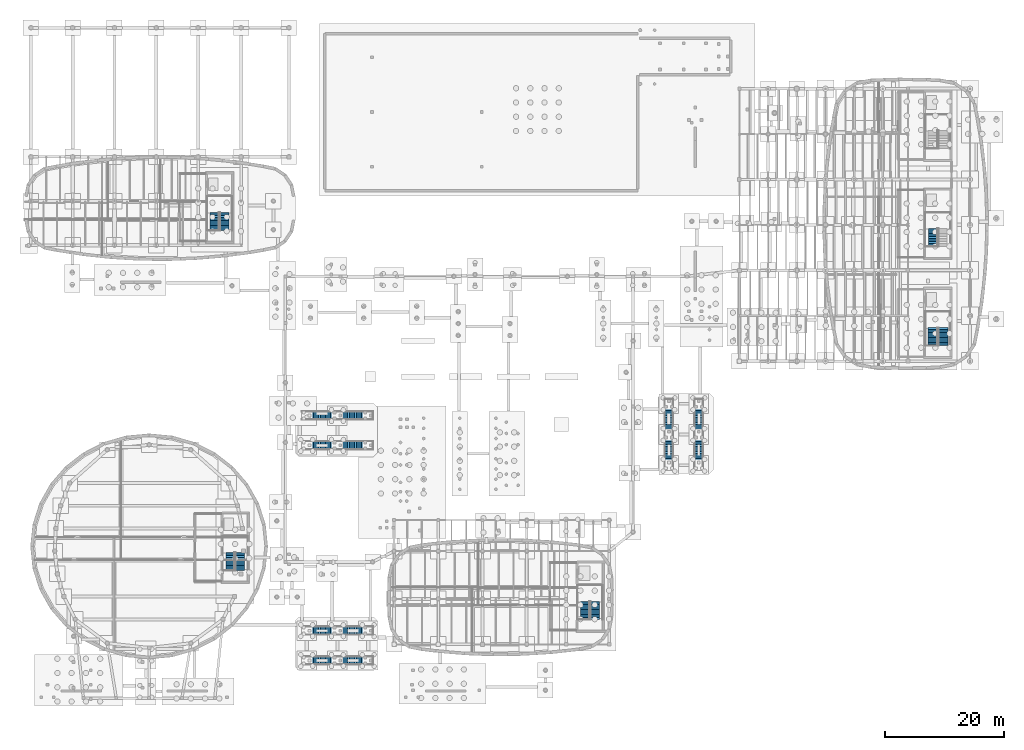
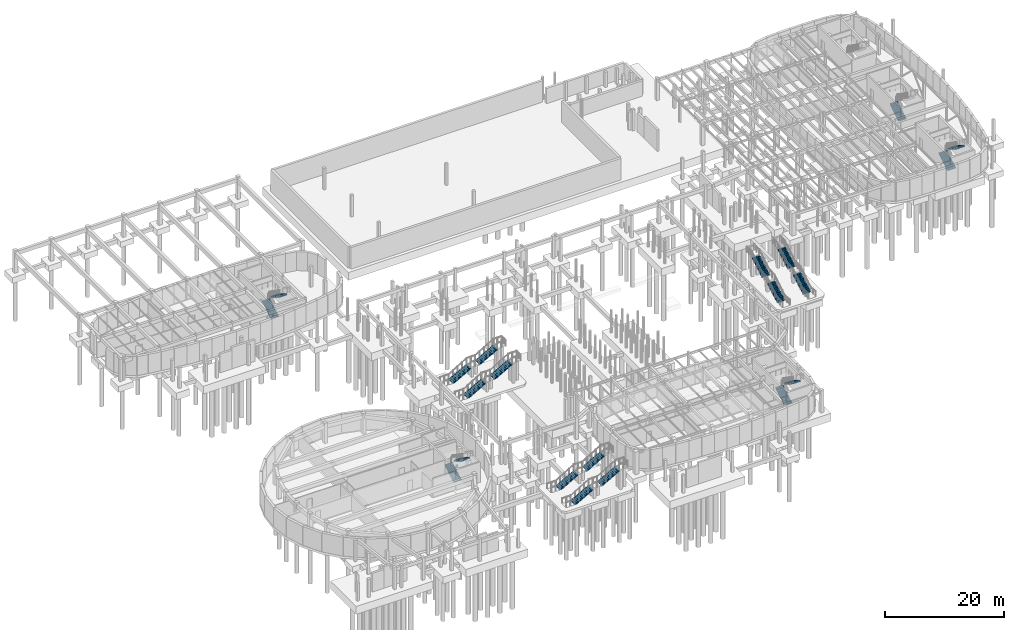
# One storey, part 39 of 45: 21 stair flights, 11 elements without a shape of their own.
"""IFC4 building model written with IfcOpenShell, lengths in metres."""

from ifc_helpers import new_model, si_unit, direction, frame, origin, place, context, subcontext, project, spatial, polyline, outline, extrude, material, layer, layer_set, type_object, element, aggregate, save


model = new_model("IFC4")

# Units and contexts
model_context = context("Model", 3, precision=1e-05, world=origin(), true_north=direction((0.0, 1.0)))
body_context = subcontext(model_context, "Body", "Model", "MODEL_VIEW")
ifc_project = project(units=[si_unit("LENGTHUNIT", "METRE"), si_unit("AREAUNIT", "SQUARE_METRE"), si_unit("VOLUMEUNIT", "CUBIC_METRE"), si_unit("PLANEANGLEUNIT", "RADIAN"), si_unit("MASSUNIT", "GRAM", prefix="KILO")], contexts=[model_context])

# Site, building, storey
site_placement = place(None, origin())
site = spatial("IfcSite", under=ifc_project, at=site_placement, CompositionType="ELEMENT")
building_placement = place(site_placement, origin())
building = spatial("IfcBuilding", under=site, at=building_placement, Name="Corveleigh Park Community Centre", CompositionType="ELEMENT")
storey_placement = place(building_placement, frame((0.0, 0.0, -4.199951171875)))
storey = spatial("IfcBuildingStorey", under=building, at=storey_placement, Name="B1", CompositionType="ELEMENT", Elevation=-4.199951171875)

# Stair, stair flights
ifc_material = material(Name="Concrete C32/40", Category="concrete")
stair_type_1 = type_object("IfcStairType", Name="STR-SR-1400-480", PredefinedType="STRAIGHT_RUN_STAIR", material=ifc_material)
stair_1_placement = place(storey_placement, origin())
stair_1 = element("IfcStair", 1, at=stair_1_placement, inside=storey, type_object=stair_type_1, Name="Terrace promenade stair ST7", PredefinedType="STRAIGHT_RUN_STAIR")
ifc_layer_1 = layer(ifc_material, 0.169921875, Name="Concrete C32/40", Category="concrete")
ifc_layer_set_1 = layer_set([ifc_layer_1], Name="Concrete C32/40")
stair_flight_type_1 = type_object("IfcStairFlightType", Name="FLG-RC-1400", PredefinedType="STRAIGHT", material=ifc_layer_set_1)
stair_flight_1_placement = place(storey_placement, frame((58.199951171875, 8.5, 0.0), z_axis=(0.0, 0.0, 1.0), x_axis=(1.0, 0.0, 0.0)))
stair_flight_1 = element("IfcStairFlight", 2, at=stair_flight_1_placement, type_object=stair_flight_type_1, Name="ST7 flight 1", NumberOfRisers=13, NumberOfTreads=12, PredefinedType="STRAIGHT", RiserHeight=0.16154, TreadLength=0.29, context=body_context, shape_type="SweptSolid", body=[
    extrude(outline(polyline([(0.0, 0.0), (0.0, 0.16162109375), (0.2900390625, 0.16162109375), (0.2900390625, 0.322998046875), (0.580078125, 0.322998046875), (0.580078125, 0.484619140625), (0.8701171875, 0.484619140625), (0.8701171875, 0.646240234375), (1.159912109375, 0.646240234375), (1.159912109375, 0.8076171875), (1.449951171875, 0.8076171875), (1.449951171875, 0.96923828125), (1.739990234375, 0.96923828125), (1.739990234375, 1.130859375), (2.030029296875, 1.130859375), (2.030029296875, 1.292236328125), (2.320068359375, 1.292236328125), (2.320068359375, 1.453857421875), (2.610107421875, 1.453857421875), (2.610107421875, 1.615478515625), (2.89990234375, 1.615478515625), (2.89990234375, 1.77685546875), (3.18994140625, 1.77685546875), (3.18994140625, 1.9384765625), (3.47998046875, 1.9384765625), (3.47998046875, 2.10009765625), (3.47998046875, 1.743896484375), (0.34912109375, 0.0), (0.0, 0.0)])), frame((0.0, 0.699951171875, 0.0), z_axis=(0.0, -1.0, 0.0), x_axis=(1.0, 0.0, 0.0)), (0.0, 0.0, 1.0), 1.39990234375),
])
stair_flight_2_placement = place(storey_placement, frame((63.360107421875, 8.5, 2.099853515625), z_axis=(0.0, 0.0, 1.0), x_axis=(1.0, 0.0, 0.0)))
stair_flight_2 = element("IfcStairFlight", 3, at=stair_flight_2_placement, type_object=stair_flight_type_1, Name="ST7 flight 2", NumberOfRisers=13, NumberOfTreads=12, PredefinedType="STRAIGHT", RiserHeight=0.16154, TreadLength=0.29, context=body_context, shape_type="SweptSolid", body=[
    extrude(outline(polyline([(0.0, 0.0), (0.0, 0.16162109375), (0.2900390625, 0.16162109375), (0.2900390625, 0.322998046875), (0.580078125, 0.322998046875), (0.580078125, 0.484619140625), (0.8701171875, 0.484619140625), (0.8701171875, 0.646240234375), (1.159912109375, 0.646240234375), (1.159912109375, 0.8076171875), (1.449951171875, 0.8076171875), (1.449951171875, 0.96923828125), (1.739990234375, 0.96923828125), (1.739990234375, 1.130859375), (2.030029296875, 1.130859375), (2.030029296875, 1.292236328125), (2.320068359375, 1.292236328125), (2.320068359375, 1.453857421875), (2.610107421875, 1.453857421875), (2.610107421875, 1.615478515625), (2.89990234375, 1.615478515625), (2.89990234375, 1.77685546875), (3.18994140625, 1.77685546875), (3.18994140625, 1.9384765625), (3.47998046875, 1.9384765625), (3.47998046875, 2.10009765625), (3.47998046875, 1.743896484375), (0.34912109375, 0.0), (0.0, 0.0)])), frame((0.0, 0.699951171875, 0.0), z_axis=(0.0, -1.0, 0.0), x_axis=(1.0, 0.0, 0.0)), (0.0, 0.0, 1.0), 1.39990234375),
])
aggregate(stair_1, [stair_flight_1, stair_flight_2])

stair_2_placement = place(storey_placement, origin())
stair_2 = element("IfcStair", 4, at=stair_2_placement, inside=storey, type_object=stair_type_1, Name="Terrace promenade stair ST8", PredefinedType="STRAIGHT_RUN_STAIR")
stair_flight_3_placement = place(storey_placement, frame((58.199951171875, 13.5, 0.0), z_axis=(0.0, 0.0, 1.0), x_axis=(1.0, 0.0, 0.0)))
stair_flight_3 = element("IfcStairFlight", 5, at=stair_flight_3_placement, type_object=stair_flight_type_1, Name="ST8 flight 1", NumberOfRisers=13, NumberOfTreads=12, PredefinedType="STRAIGHT", RiserHeight=0.16154, TreadLength=0.29, context=body_context, shape_type="SweptSolid", body=[
    extrude(outline(polyline([(0.0, 0.0), (0.0, 0.16162109375), (0.2900390625, 0.16162109375), (0.2900390625, 0.322998046875), (0.580078125, 0.322998046875), (0.580078125, 0.484619140625), (0.8701171875, 0.484619140625), (0.8701171875, 0.646240234375), (1.159912109375, 0.646240234375), (1.159912109375, 0.8076171875), (1.449951171875, 0.8076171875), (1.449951171875, 0.96923828125), (1.739990234375, 0.96923828125), (1.739990234375, 1.130859375), (2.030029296875, 1.130859375), (2.030029296875, 1.292236328125), (2.320068359375, 1.292236328125), (2.320068359375, 1.453857421875), (2.610107421875, 1.453857421875), (2.610107421875, 1.615478515625), (2.89990234375, 1.615478515625), (2.89990234375, 1.77685546875), (3.18994140625, 1.77685546875), (3.18994140625, 1.9384765625), (3.47998046875, 1.9384765625), (3.47998046875, 2.10009765625), (3.47998046875, 1.743896484375), (0.34912109375, 0.0), (0.0, 0.0)])), frame((0.0, 0.699951171875, 0.0), z_axis=(0.0, -1.0, 0.0), x_axis=(1.0, 0.0, 0.0)), (0.0, 0.0, 1.0), 1.39990234375),
])
stair_flight_4_placement = place(storey_placement, frame((63.360107421875, 13.5, 2.099853515625), z_axis=(0.0, 0.0, 1.0), x_axis=(1.0, 0.0, 0.0)))
stair_flight_4 = element("IfcStairFlight", 6, at=stair_flight_4_placement, type_object=stair_flight_type_1, Name="ST8 flight 2", NumberOfRisers=13, NumberOfTreads=12, PredefinedType="STRAIGHT", RiserHeight=0.16154, TreadLength=0.29, context=body_context, shape_type="SweptSolid", body=[
    extrude(outline(polyline([(0.0, 0.0), (0.0, 0.16162109375), (0.2900390625, 0.16162109375), (0.2900390625, 0.322998046875), (0.580078125, 0.322998046875), (0.580078125, 0.484619140625), (0.8701171875, 0.484619140625), (0.8701171875, 0.646240234375), (1.159912109375, 0.646240234375), (1.159912109375, 0.8076171875), (1.449951171875, 0.8076171875), (1.449951171875, 0.96923828125), (1.739990234375, 0.96923828125), (1.739990234375, 1.130859375), (2.030029296875, 1.130859375), (2.030029296875, 1.292236328125), (2.320068359375, 1.292236328125), (2.320068359375, 1.453857421875), (2.610107421875, 1.453857421875), (2.610107421875, 1.615478515625), (2.89990234375, 1.615478515625), (2.89990234375, 1.77685546875), (3.18994140625, 1.77685546875), (3.18994140625, 1.9384765625), (3.47998046875, 1.9384765625), (3.47998046875, 2.10009765625), (3.47998046875, 1.743896484375), (0.34912109375, 0.0), (0.0, 0.0)])), frame((0.0, 0.699951171875, 0.0), z_axis=(0.0, -1.0, 0.0), x_axis=(1.0, 0.0, 0.0)), (0.0, 0.0, 1.0), 1.39990234375),
])
aggregate(stair_2, [stair_flight_3, stair_flight_4])

stair_type_2 = type_object("IfcStairType", Name="STR-SR-1400-390", PredefinedType="STRAIGHT_RUN_STAIR", material=ifc_material)
stair_3_placement = place(storey_placement, origin())
stair_3 = element("IfcStair", 7, at=stair_3_placement, inside=storey, type_object=stair_type_2, Name="Terrace promenade stair ST9", PredefinedType="STRAIGHT_RUN_STAIR")
stair_flight_5_placement = place(storey_placement, frame((58.199951171875, 44.5, 0.0), z_axis=(0.0, 0.0, 1.0), x_axis=(1.0, 0.0, 0.0)))
stair_flight_5 = element("IfcStairFlight", 8, at=stair_flight_5_placement, type_object=stair_flight_type_1, Name="ST9 flight 1", NumberOfRisers=13, NumberOfTreads=12, PredefinedType="STRAIGHT", RiserHeight=0.16154, TreadLength=0.29, context=body_context, shape_type="SweptSolid", body=[
    extrude(outline(polyline([(0.0, 0.0), (0.0, 0.16162109375), (0.2900390625, 0.16162109375), (0.2900390625, 0.322998046875), (0.580078125, 0.322998046875), (0.580078125, 0.484619140625), (0.8701171875, 0.484619140625), (0.8701171875, 0.646240234375), (1.159912109375, 0.646240234375), (1.159912109375, 0.8076171875), (1.449951171875, 0.8076171875), (1.449951171875, 0.96923828125), (1.739990234375, 0.96923828125), (1.739990234375, 1.130859375), (2.030029296875, 1.130859375), (2.030029296875, 1.292236328125), (2.320068359375, 1.292236328125), (2.320068359375, 1.453857421875), (2.610107421875, 1.453857421875), (2.610107421875, 1.615478515625), (2.89990234375, 1.615478515625), (2.89990234375, 1.77685546875), (3.18994140625, 1.77685546875), (3.18994140625, 1.9384765625), (3.47998046875, 1.9384765625), (3.47998046875, 2.10009765625), (3.47998046875, 1.743896484375), (0.34912109375, 0.0), (0.0, 0.0)])), frame((0.0, 0.699951171875, 0.0), z_axis=(0.0, -1.0, 0.0), x_axis=(1.0, 0.0, 0.0)), (0.0, 0.0, 1.0), 1.39990234375),
])
stair_flight_6_placement = place(storey_placement, frame((63.360107421875, 44.5, 2.099853515625), z_axis=(0.0, 0.0, 1.0), x_axis=(1.0, 0.0, 0.0)))
stair_flight_6 = element("IfcStairFlight", 9, at=stair_flight_6_placement, type_object=stair_flight_type_1, Name="ST9 flight 2", NumberOfRisers=13, NumberOfTreads=12, PredefinedType="STRAIGHT", RiserHeight=0.16154, TreadLength=0.29, context=body_context, shape_type="SweptSolid", body=[
    extrude(outline(polyline([(0.0, 0.0), (0.0, 0.16162109375), (0.2900390625, 0.16162109375), (0.2900390625, 0.322998046875), (0.580078125, 0.322998046875), (0.580078125, 0.484619140625), (0.8701171875, 0.484619140625), (0.8701171875, 0.646240234375), (1.159912109375, 0.646240234375), (1.159912109375, 0.8076171875), (1.449951171875, 0.8076171875), (1.449951171875, 0.96923828125), (1.739990234375, 0.96923828125), (1.739990234375, 1.130859375), (2.030029296875, 1.130859375), (2.030029296875, 1.292236328125), (2.320068359375, 1.292236328125), (2.320068359375, 1.453857421875), (2.610107421875, 1.453857421875), (2.610107421875, 1.615478515625), (2.89990234375, 1.615478515625), (2.89990234375, 1.77685546875), (3.18994140625, 1.77685546875), (3.18994140625, 1.9384765625), (3.47998046875, 1.9384765625), (3.47998046875, 2.10009765625), (3.47998046875, 1.743896484375), (0.34912109375, 0.0), (0.0, 0.0)])), frame((0.0, 0.699951171875, 0.0), z_axis=(0.0, -1.0, 0.0), x_axis=(1.0, 0.0, 0.0)), (0.0, 0.0, 1.0), 1.39990234375),
])
aggregate(stair_3, [stair_flight_5, stair_flight_6])

stair_4_placement = place(storey_placement, origin())
stair_4 = element("IfcStair", 10, at=stair_4_placement, inside=storey, type_object=stair_type_2, Name="Terrace promenade stair ST10", PredefinedType="STRAIGHT_RUN_STAIR")
stair_flight_7_placement = place(storey_placement, frame((58.199951171875, 49.5, 0.0), z_axis=(0.0, 0.0, 1.0), x_axis=(1.0, 0.0, 0.0)))
stair_flight_7 = element("IfcStairFlight", 11, at=stair_flight_7_placement, type_object=stair_flight_type_1, Name="ST10 flight 1", NumberOfRisers=13, NumberOfTreads=12, PredefinedType="STRAIGHT", RiserHeight=0.16154, TreadLength=0.29, context=body_context, shape_type="SweptSolid", body=[
    extrude(outline(polyline([(0.0, 0.0), (0.0, 0.16162109375), (0.2900390625, 0.16162109375), (0.2900390625, 0.322998046875), (0.580078125, 0.322998046875), (0.580078125, 0.484619140625), (0.8701171875, 0.484619140625), (0.8701171875, 0.646240234375), (1.159912109375, 0.646240234375), (1.159912109375, 0.8076171875), (1.449951171875, 0.8076171875), (1.449951171875, 0.96923828125), (1.739990234375, 0.96923828125), (1.739990234375, 1.130859375), (2.030029296875, 1.130859375), (2.030029296875, 1.292236328125), (2.320068359375, 1.292236328125), (2.320068359375, 1.453857421875), (2.610107421875, 1.453857421875), (2.610107421875, 1.615478515625), (2.89990234375, 1.615478515625), (2.89990234375, 1.77685546875), (3.18994140625, 1.77685546875), (3.18994140625, 1.9384765625), (3.47998046875, 1.9384765625), (3.47998046875, 2.10009765625), (3.47998046875, 1.743896484375), (0.34912109375, 0.0), (0.0, 0.0)])), frame((0.0, 0.699951171875, 0.0), z_axis=(0.0, -1.0, 0.0), x_axis=(1.0, 0.0, 0.0)), (0.0, 0.0, 1.0), 1.39990234375),
])
stair_flight_8_placement = place(storey_placement, frame((63.360107421875, 49.5, 2.099853515625), z_axis=(0.0, 0.0, 1.0), x_axis=(1.0, 0.0, 0.0)))
stair_flight_8 = element("IfcStairFlight", 12, at=stair_flight_8_placement, type_object=stair_flight_type_1, Name="ST10 flight 2", NumberOfRisers=13, NumberOfTreads=12, PredefinedType="STRAIGHT", RiserHeight=0.16154, TreadLength=0.29, context=body_context, shape_type="SweptSolid", body=[
    extrude(outline(polyline([(0.0, 0.0), (0.0, 0.16162109375), (0.2900390625, 0.16162109375), (0.2900390625, 0.322998046875), (0.580078125, 0.322998046875), (0.580078125, 0.484619140625), (0.8701171875, 0.484619140625), (0.8701171875, 0.646240234375), (1.159912109375, 0.646240234375), (1.159912109375, 0.8076171875), (1.449951171875, 0.8076171875), (1.449951171875, 0.96923828125), (1.739990234375, 0.96923828125), (1.739990234375, 1.130859375), (2.030029296875, 1.130859375), (2.030029296875, 1.292236328125), (2.320068359375, 1.292236328125), (2.320068359375, 1.453857421875), (2.610107421875, 1.453857421875), (2.610107421875, 1.615478515625), (2.89990234375, 1.615478515625), (2.89990234375, 1.77685546875), (3.18994140625, 1.77685546875), (3.18994140625, 1.9384765625), (3.47998046875, 1.9384765625), (3.47998046875, 2.10009765625), (3.47998046875, 1.743896484375), (0.34912109375, 0.0), (0.0, 0.0)])), frame((0.0, 0.699951171875, 0.0), z_axis=(0.0, -1.0, 0.0), x_axis=(1.0, 0.0, 0.0)), (0.0, 0.0, 1.0), 1.39990234375),
])
aggregate(stair_4, [stair_flight_7, stair_flight_8])

stair_type_3 = type_object("IfcStairType", Name="STR-SR-1450-360", PredefinedType="STRAIGHT_RUN_STAIR", material=ifc_material)
stair_5_placement = place(storey_placement, origin())
stair_5 = element("IfcStair", 13, at=stair_5_placement, inside=storey, type_object=stair_type_3, Name="Terrace promenade stair ST11", PredefinedType="STRAIGHT_RUN_STAIR")
ifc_layer_2 = layer(ifc_material, 0.1650390625, Name="Concrete C32/40", Category="concrete")
ifc_layer_set_2 = layer_set([ifc_layer_2], Name="Concrete C32/40")
stair_flight_type_2 = type_object("IfcStairFlightType", Name="FLG-RC-1450", PredefinedType="STRAIGHT", material=ifc_layer_set_2)
stair_flight_9_placement = place(storey_placement, frame((118.0, 42.0, 0.0), z_axis=(0.0, 0.0, 1.0), x_axis=(0.0, 1.0, 0.0)))
stair_flight_9 = element("IfcStairFlight", 14, at=stair_flight_9_placement, type_object=stair_flight_type_2, Name="ST11 flight 1", NumberOfRisers=13, NumberOfTreads=12, PredefinedType="STRAIGHT", RiserHeight=0.16154, TreadLength=0.29, context=body_context, shape_type="SweptSolid", body=[
    extrude(outline(polyline([(0.0, 0.0), (0.0, 0.16162109375), (0.2900390625, 0.16162109375), (0.2900390625, 0.322998046875), (0.580078125, 0.322998046875), (0.580078125, 0.484619140625), (0.8701171875, 0.484619140625), (0.8701171875, 0.646240234375), (1.159912109375, 0.646240234375), (1.159912109375, 0.8076171875), (1.449951171875, 0.8076171875), (1.449951171875, 0.96923828125), (1.739990234375, 0.96923828125), (1.739990234375, 1.130859375), (2.030029296875, 1.130859375), (2.030029296875, 1.292236328125), (2.320068359375, 1.292236328125), (2.320068359375, 1.453857421875), (2.610107421875, 1.453857421875), (2.610107421875, 1.615478515625), (2.89990234375, 1.615478515625), (2.89990234375, 1.77685546875), (3.18994140625, 1.77685546875), (3.18994140625, 1.9384765625), (3.47998046875, 1.9384765625), (3.47998046875, 2.10009765625), (3.47998046875, 1.74951171875), (0.339111328125, 0.0), (0.0, 0.0)])), frame((0.0, 0.72509765625, 0.0), z_axis=(0.0, -1.0, 0.0), x_axis=(1.0, 0.0, 0.0)), (0.0, 0.0, 1.0), 1.449951171875),
])
stair_flight_10_placement = place(storey_placement, frame((118.0, 47.159912109375, 2.099853515625), z_axis=(0.0, 0.0, 1.0), x_axis=(0.0, 1.0, 0.0)))
stair_flight_10 = element("IfcStairFlight", 15, at=stair_flight_10_placement, type_object=stair_flight_type_2, Name="ST11 flight 2", NumberOfRisers=13, NumberOfTreads=12, PredefinedType="STRAIGHT", RiserHeight=0.16154, TreadLength=0.29, context=body_context, shape_type="SweptSolid", body=[
    extrude(outline(polyline([(0.0, 0.0), (0.0, 0.16162109375), (0.2900390625, 0.16162109375), (0.2900390625, 0.322998046875), (0.580078125, 0.322998046875), (0.580078125, 0.484619140625), (0.8701171875, 0.484619140625), (0.8701171875, 0.646240234375), (1.159912109375, 0.646240234375), (1.159912109375, 0.8076171875), (1.449951171875, 0.8076171875), (1.449951171875, 0.96923828125), (1.739990234375, 0.96923828125), (1.739990234375, 1.130859375), (2.030029296875, 1.130859375), (2.030029296875, 1.292236328125), (2.320068359375, 1.292236328125), (2.320068359375, 1.453857421875), (2.610107421875, 1.453857421875), (2.610107421875, 1.615478515625), (2.89990234375, 1.615478515625), (2.89990234375, 1.77685546875), (3.18994140625, 1.77685546875), (3.18994140625, 1.9384765625), (3.47998046875, 1.9384765625), (3.47998046875, 2.10009765625), (3.47998046875, 1.74951171875), (0.339111328125, 0.0), (0.0, 0.0)])), frame((0.0, 0.72509765625, 0.0), z_axis=(0.0, -1.0, 0.0), x_axis=(1.0, 0.0, 0.0)), (0.0, 0.0, 1.0), 1.449951171875),
])
aggregate(stair_5, [stair_flight_9, stair_flight_10])

stair_6_placement = place(storey_placement, origin())
stair_6 = element("IfcStair", 16, at=stair_6_placement, inside=storey, type_object=stair_type_3, Name="Terrace promenade stair ST12", PredefinedType="STRAIGHT_RUN_STAIR")
stair_flight_11_placement = place(storey_placement, frame((123.0, 42.0, 0.0), z_axis=(0.0, 0.0, 1.0), x_axis=(0.0, 1.0, 0.0)))
stair_flight_11 = element("IfcStairFlight", 17, at=stair_flight_11_placement, type_object=stair_flight_type_2, Name="ST12 flight 1", NumberOfRisers=13, NumberOfTreads=12, PredefinedType="STRAIGHT", RiserHeight=0.16154, TreadLength=0.29, context=body_context, shape_type="SweptSolid", body=[
    extrude(outline(polyline([(0.0, 0.0), (0.0, 0.16162109375), (0.2900390625, 0.16162109375), (0.2900390625, 0.322998046875), (0.580078125, 0.322998046875), (0.580078125, 0.484619140625), (0.8701171875, 0.484619140625), (0.8701171875, 0.646240234375), (1.159912109375, 0.646240234375), (1.159912109375, 0.8076171875), (1.449951171875, 0.8076171875), (1.449951171875, 0.96923828125), (1.739990234375, 0.96923828125), (1.739990234375, 1.130859375), (2.030029296875, 1.130859375), (2.030029296875, 1.292236328125), (2.320068359375, 1.292236328125), (2.320068359375, 1.453857421875), (2.610107421875, 1.453857421875), (2.610107421875, 1.615478515625), (2.89990234375, 1.615478515625), (2.89990234375, 1.77685546875), (3.18994140625, 1.77685546875), (3.18994140625, 1.9384765625), (3.47998046875, 1.9384765625), (3.47998046875, 2.10009765625), (3.47998046875, 1.74951171875), (0.339111328125, 0.0), (0.0, 0.0)])), frame((0.0, 0.72509765625, 0.0), z_axis=(0.0, -1.0, 0.0), x_axis=(1.0, 0.0, 0.0)), (0.0, 0.0, 1.0), 1.449951171875),
])
stair_flight_12_placement = place(storey_placement, frame((123.0, 47.159912109375, 2.099853515625), z_axis=(0.0, 0.0, 1.0), x_axis=(0.0, 1.0, 0.0)))
stair_flight_12 = element("IfcStairFlight", 18, at=stair_flight_12_placement, type_object=stair_flight_type_2, Name="ST12 flight 2", NumberOfRisers=13, NumberOfTreads=12, PredefinedType="STRAIGHT", RiserHeight=0.16154, TreadLength=0.29, context=body_context, shape_type="SweptSolid", body=[
    extrude(outline(polyline([(0.0, 0.0), (0.0, 0.16162109375), (0.2900390625, 0.16162109375), (0.2900390625, 0.322998046875), (0.580078125, 0.322998046875), (0.580078125, 0.484619140625), (0.8701171875, 0.484619140625), (0.8701171875, 0.646240234375), (1.159912109375, 0.646240234375), (1.159912109375, 0.8076171875), (1.449951171875, 0.8076171875), (1.449951171875, 0.96923828125), (1.739990234375, 0.96923828125), (1.739990234375, 1.130859375), (2.030029296875, 1.130859375), (2.030029296875, 1.292236328125), (2.320068359375, 1.292236328125), (2.320068359375, 1.453857421875), (2.610107421875, 1.453857421875), (2.610107421875, 1.615478515625), (2.89990234375, 1.615478515625), (2.89990234375, 1.77685546875), (3.18994140625, 1.77685546875), (3.18994140625, 1.9384765625), (3.47998046875, 1.9384765625), (3.47998046875, 2.10009765625), (3.47998046875, 1.74951171875), (0.339111328125, 0.0), (0.0, 0.0)])), frame((0.0, 0.72509765625, 0.0), z_axis=(0.0, -1.0, 0.0), x_axis=(1.0, 0.0, 0.0)), (0.0, 0.0, 1.0), 1.449951171875),
])
aggregate(stair_6, [stair_flight_11, stair_flight_12])

stair_type_4 = type_object("IfcStairType", Name="STR-HT-1500-420", PredefinedType="USERDEFINED", material=ifc_material)
stair_7_placement = place(storey_placement, origin())
stair_7 = element("IfcStair", 19, at=stair_7_placement, inside=storey, type_object=stair_type_4, Name="Protected escape stair ST3 (B1 to L00)", ObjectType="TWO_RETURN_STAIR", PredefinedType="USERDEFINED")
ifc_layer_3 = layer(ifc_material, 0.175048828125, Name="Concrete C32/40", Category="concrete")
ifc_layer_set_3 = layer_set([ifc_layer_3], Name="Concrete C32/40")
stair_flight_type_3 = type_object("IfcStairFlightType", Name="FLG-RC-1500", PredefinedType="STRAIGHT", material=ifc_layer_set_3)
stair_flight_13_placement = place(storey_placement, frame((41.97998046875, 80.47998046875, 0.0), z_axis=(0.0, 0.0, 1.0), x_axis=(0.0, 1.0, 0.0)))
stair_flight_13 = element("IfcStairFlight", 20, at=stair_flight_13_placement, type_object=stair_flight_type_3, Name="ST3 flight 1", NumberOfRisers=12, NumberOfTreads=11, PredefinedType="STRAIGHT", RiserHeight=0.175, TreadLength=0.275, context=body_context, shape_type="SweptSolid", body=[
    extrude(outline(polyline([(0.0, 0.0), (0.0, 0.175048828125), (0.27490234375, 0.175048828125), (0.27490234375, 0.35009765625), (0.550048828125, 0.35009765625), (0.550048828125, 0.52490234375), (0.824951171875, 0.52490234375), (0.824951171875, 0.699951171875), (1.10009765625, 0.699951171875), (1.10009765625, 0.875), (1.375, 0.875), (1.375, 1.050048828125), (1.64990234375, 1.050048828125), (1.64990234375, 1.22509765625), (1.925048828125, 1.22509765625), (1.925048828125, 1.39990234375), (2.199951171875, 1.39990234375), (2.199951171875, 1.574951171875), (2.47509765625, 1.574951171875), (2.47509765625, 1.75), (2.75, 1.75), (2.75, 1.925048828125), (3.02490234375, 1.925048828125), (3.02490234375, 2.10009765625), (3.02490234375, 1.717529296875), (0.326171875, 0.0), (0.0, 0.0)])), frame((0.0, 0.75, 0.0), z_axis=(0.0, -1.0, 0.0), x_axis=(1.0, 0.0, 0.0)), (0.0, 0.0, 1.0), 1.5),
])
stair_flight_14_placement = place(storey_placement, frame((43.6201171875, 83.5048828125, 2.099853515625), z_axis=(0.0, 0.0, 1.0), x_axis=(0.0, -1.0, 0.0)))
stair_flight_14 = element("IfcStairFlight", 21, at=stair_flight_14_placement, type_object=stair_flight_type_3, Name="ST3 flight 2", NumberOfRisers=12, NumberOfTreads=11, PredefinedType="STRAIGHT", RiserHeight=0.175, TreadLength=0.275, context=body_context, shape_type="SweptSolid", body=[
    extrude(outline(polyline([(0.0, 0.0), (0.0, 0.175048828125), (0.27490234375, 0.175048828125), (0.27490234375, 0.35009765625), (0.550048828125, 0.35009765625), (0.550048828125, 0.52490234375), (0.824951171875, 0.52490234375), (0.824951171875, 0.699951171875), (1.10009765625, 0.699951171875), (1.10009765625, 0.875), (1.375, 0.875), (1.375, 1.050048828125), (1.64990234375, 1.050048828125), (1.64990234375, 1.22509765625), (1.925048828125, 1.22509765625), (1.925048828125, 1.39990234375), (2.199951171875, 1.39990234375), (2.199951171875, 1.574951171875), (2.47509765625, 1.574951171875), (2.47509765625, 1.75), (2.75, 1.75), (2.75, 1.925048828125), (3.02490234375, 1.925048828125), (3.02490234375, 2.10009765625), (3.02490234375, 1.717529296875), (0.326171875, 0.0), (0.0, 0.0)])), frame((0.0, 0.75, 0.0), z_axis=(0.0, -1.0, 0.0), x_axis=(1.0, 0.0, 0.0)), (0.0, 0.0, 1.0), 1.5),
])
aggregate(stair_7, [stair_flight_13, stair_flight_14])

stair_8_placement = place(storey_placement, origin())
stair_8 = element("IfcStair", 22, at=stair_8_placement, inside=storey, type_object=stair_type_4, Name="Protected escape stair ST4 (B1 to L00)", ObjectType="TWO_RETURN_STAIR", PredefinedType="USERDEFINED")
stair_flight_15_placement = place(storey_placement, frame((103.97998046875, 15.3798828125, 0.0), z_axis=(0.0, 0.0, 1.0), x_axis=(0.0, 1.0, 0.0)))
stair_flight_15 = element("IfcStairFlight", 23, at=stair_flight_15_placement, type_object=stair_flight_type_3, Name="ST4 flight 1", NumberOfRisers=12, NumberOfTreads=11, PredefinedType="STRAIGHT", RiserHeight=0.175, TreadLength=0.275, context=body_context, shape_type="SweptSolid", body=[
    extrude(outline(polyline([(0.0, 0.0), (0.0, 0.175048828125), (0.27490234375, 0.175048828125), (0.27490234375, 0.35009765625), (0.550048828125, 0.35009765625), (0.550048828125, 0.52490234375), (0.824951171875, 0.52490234375), (0.824951171875, 0.699951171875), (1.10009765625, 0.699951171875), (1.10009765625, 0.875), (1.375, 0.875), (1.375, 1.050048828125), (1.64990234375, 1.050048828125), (1.64990234375, 1.22509765625), (1.925048828125, 1.22509765625), (1.925048828125, 1.39990234375), (2.199951171875, 1.39990234375), (2.199951171875, 1.574951171875), (2.47509765625, 1.574951171875), (2.47509765625, 1.75), (2.75, 1.75), (2.75, 1.925048828125), (3.02490234375, 1.925048828125), (3.02490234375, 2.10009765625), (3.02490234375, 1.717529296875), (0.326171875, 0.0), (0.0, 0.0)])), frame((0.0, 0.75, 0.0), z_axis=(0.0, -1.0, 0.0), x_axis=(1.0, 0.0, 0.0)), (0.0, 0.0, 1.0), 1.5),
])
stair_flight_16_placement = place(storey_placement, frame((105.6201171875, 18.405029296875, 2.099853515625), z_axis=(0.0, 0.0, 1.0), x_axis=(0.0, -1.0, 0.0)))
stair_flight_16 = element("IfcStairFlight", 24, at=stair_flight_16_placement, type_object=stair_flight_type_3, Name="ST4 flight 2", NumberOfRisers=12, NumberOfTreads=11, PredefinedType="STRAIGHT", RiserHeight=0.175, TreadLength=0.275, context=body_context, shape_type="SweptSolid", body=[
    extrude(outline(polyline([(0.0, 0.0), (0.0, 0.175048828125), (0.27490234375, 0.175048828125), (0.27490234375, 0.35009765625), (0.550048828125, 0.35009765625), (0.550048828125, 0.52490234375), (0.824951171875, 0.52490234375), (0.824951171875, 0.699951171875), (1.10009765625, 0.699951171875), (1.10009765625, 0.875), (1.375, 0.875), (1.375, 1.050048828125), (1.64990234375, 1.050048828125), (1.64990234375, 1.22509765625), (1.925048828125, 1.22509765625), (1.925048828125, 1.39990234375), (2.199951171875, 1.39990234375), (2.199951171875, 1.574951171875), (2.47509765625, 1.574951171875), (2.47509765625, 1.75), (2.75, 1.75), (2.75, 1.925048828125), (3.02490234375, 1.925048828125), (3.02490234375, 2.10009765625), (3.02490234375, 1.717529296875), (0.326171875, 0.0), (0.0, 0.0)])), frame((0.0, 0.75, 0.0), z_axis=(0.0, -1.0, 0.0), x_axis=(1.0, 0.0, 0.0)), (0.0, 0.0, 1.0), 1.5),
])
aggregate(stair_8, [stair_flight_15, stair_flight_16])

stair_9_placement = place(storey_placement, origin())
stair_9 = element("IfcStair", 25, at=stair_9_placement, inside=storey, type_object=stair_type_4, Name="Protected escape stair ST5 (B1 to L00)", ObjectType="TWO_RETURN_STAIR", PredefinedType="USERDEFINED")
stair_flight_17_placement = place(storey_placement, frame((44.580078125, 23.580078125, 0.0), z_axis=(0.0, 0.0, 1.0), x_axis=(0.0, 1.0, 0.0)))
stair_flight_17 = element("IfcStairFlight", 26, at=stair_flight_17_placement, type_object=stair_flight_type_3, Name="ST5 flight 1", NumberOfRisers=12, NumberOfTreads=11, PredefinedType="STRAIGHT", RiserHeight=0.175, TreadLength=0.275, context=body_context, shape_type="SweptSolid", body=[
    extrude(outline(polyline([(0.0, 0.0), (0.0, 0.175048828125), (0.27490234375, 0.175048828125), (0.27490234375, 0.35009765625), (0.550048828125, 0.35009765625), (0.550048828125, 0.52490234375), (0.824951171875, 0.52490234375), (0.824951171875, 0.699951171875), (1.10009765625, 0.699951171875), (1.10009765625, 0.875), (1.375, 0.875), (1.375, 1.050048828125), (1.64990234375, 1.050048828125), (1.64990234375, 1.22509765625), (1.925048828125, 1.22509765625), (1.925048828125, 1.39990234375), (2.199951171875, 1.39990234375), (2.199951171875, 1.574951171875), (2.47509765625, 1.574951171875), (2.47509765625, 1.75), (2.75, 1.75), (2.75, 1.925048828125), (3.02490234375, 1.925048828125), (3.02490234375, 2.10009765625), (3.02490234375, 1.717529296875), (0.326171875, 0.0), (0.0, 0.0)])), frame((0.0, 0.75, 0.0), z_axis=(0.0, -1.0, 0.0), x_axis=(1.0, 0.0, 0.0)), (0.0, 0.0, 1.0), 1.5),
])
stair_flight_18_placement = place(storey_placement, frame((46.219970703125, 26.60498046875, 2.099853515625), z_axis=(0.0, 0.0, 1.0), x_axis=(0.0, -1.0, 0.0)))
stair_flight_18 = element("IfcStairFlight", 27, at=stair_flight_18_placement, type_object=stair_flight_type_3, Name="ST5 flight 2", NumberOfRisers=12, NumberOfTreads=11, PredefinedType="STRAIGHT", RiserHeight=0.175, TreadLength=0.275, context=body_context, shape_type="SweptSolid", body=[
    extrude(outline(polyline([(0.0, 0.0), (0.0, 0.175048828125), (0.27490234375, 0.175048828125), (0.27490234375, 0.35009765625), (0.550048828125, 0.35009765625), (0.550048828125, 0.52490234375), (0.824951171875, 0.52490234375), (0.824951171875, 0.699951171875), (1.10009765625, 0.699951171875), (1.10009765625, 0.875), (1.375, 0.875), (1.375, 1.050048828125), (1.64990234375, 1.050048828125), (1.64990234375, 1.22509765625), (1.925048828125, 1.22509765625), (1.925048828125, 1.39990234375), (2.199951171875, 1.39990234375), (2.199951171875, 1.574951171875), (2.47509765625, 1.574951171875), (2.47509765625, 1.75), (2.75, 1.75), (2.75, 1.925048828125), (3.02490234375, 1.925048828125), (3.02490234375, 2.10009765625), (3.02490234375, 1.717529296875), (0.326171875, 0.0), (0.0, 0.0)])), frame((0.0, 0.75, 0.0), z_axis=(0.0, -1.0, 0.0), x_axis=(1.0, 0.0, 0.0)), (0.0, 0.0, 1.0), 1.5),
])
aggregate(stair_9, [stair_flight_17, stair_flight_18])

# Stair, stair flight
stair_10_placement = place(storey_placement, origin())
stair_10 = element("IfcStair", 28, at=stair_10_placement, inside=storey, type_object=stair_type_4, Name="Protected escape stair ST6 (B1 to L00)", ObjectType="TWO_RETURN_STAIR", PredefinedType="USERDEFINED")
stair_flight_19_placement = place(storey_placement, frame((162.179931640625, 77.780029296875, 0.0), z_axis=(0.0, 0.0, 1.0), x_axis=(0.0, 1.0, 0.0)))
stair_flight_19 = element("IfcStairFlight", 29, at=stair_flight_19_placement, type_object=stair_flight_type_3, Name="ST6 flight 1", NumberOfRisers=12, NumberOfTreads=11, PredefinedType="STRAIGHT", RiserHeight=0.175, TreadLength=0.275, context=body_context, shape_type="SweptSolid", body=[
    extrude(outline(polyline([(0.0, 0.0), (0.0, 0.175048828125), (0.27490234375, 0.175048828125), (0.27490234375, 0.35009765625), (0.550048828125, 0.35009765625), (0.550048828125, 0.52490234375), (0.824951171875, 0.52490234375), (0.824951171875, 0.699951171875), (1.10009765625, 0.699951171875), (1.10009765625, 0.875), (1.375, 0.875), (1.375, 1.050048828125), (1.64990234375, 1.050048828125), (1.64990234375, 1.22509765625), (1.925048828125, 1.22509765625), (1.925048828125, 1.39990234375), (2.199951171875, 1.39990234375), (2.199951171875, 1.574951171875), (2.47509765625, 1.574951171875), (2.47509765625, 1.75), (2.75, 1.75), (2.75, 1.925048828125), (3.02490234375, 1.925048828125), (3.02490234375, 2.10009765625), (3.02490234375, 1.717529296875), (0.326171875, 0.0), (0.0, 0.0)])), frame((0.0, 0.75, 0.0), z_axis=(0.0, -1.0, 0.0), x_axis=(1.0, 0.0, 0.0)), (0.0, 0.0, 1.0), 1.5),
])
aggregate(stair_10, [stair_flight_19])

# Stair, stair flights
stair_type_5 = type_object("IfcStairType", Name="STR-HT-1600-420", PredefinedType="USERDEFINED", material=ifc_material)
stair_11_placement = place(storey_placement, origin())
stair_11 = element("IfcStair", 30, at=stair_11_placement, inside=storey, type_object=stair_type_5, Name="Protected escape stair ST1 (B1 to L00)", ObjectType="TWO_RETURN_STAIR", PredefinedType="USERDEFINED")
ifc_layer_4 = layer(ifc_material, 0.179931640625, Name="Concrete C32/40", Category="concrete")
ifc_layer_set_4 = layer_set([ifc_layer_4], Name="Concrete C32/40")
stair_flight_type_4 = type_object("IfcStairFlightType", Name="FLG-RC-1600", PredefinedType="STRAIGHT", material=ifc_layer_set_4)
stair_flight_20_placement = place(storey_placement, frame((162.1298828125, 61.179931640625, 0.0), z_axis=(0.0, 0.0, 1.0), x_axis=(0.0, 1.0, 0.0)))
stair_flight_20 = element("IfcStairFlight", 31, at=stair_flight_20_placement, type_object=stair_flight_type_4, Name="ST1 flight 1", NumberOfRisers=12, NumberOfTreads=11, PredefinedType="STRAIGHT", RiserHeight=0.175, TreadLength=0.275, context=body_context, shape_type="SweptSolid", body=[
    extrude(outline(polyline([(0.0, 0.0), (0.0, 0.175048828125), (0.27490234375, 0.175048828125), (0.27490234375, 0.35009765625), (0.550048828125, 0.35009765625), (0.550048828125, 0.52490234375), (0.824951171875, 0.52490234375), (0.824951171875, 0.699951171875), (1.10009765625, 0.699951171875), (1.10009765625, 0.875), (1.375, 0.875), (1.375, 1.050048828125), (1.64990234375, 1.050048828125), (1.64990234375, 1.22509765625), (1.925048828125, 1.22509765625), (1.925048828125, 1.39990234375), (2.199951171875, 1.39990234375), (2.199951171875, 1.574951171875), (2.47509765625, 1.574951171875), (2.47509765625, 1.75), (2.75, 1.75), (2.75, 1.925048828125), (3.02490234375, 1.925048828125), (3.02490234375, 2.10009765625), (3.02490234375, 1.711669921875), (0.335205078125, 0.0), (0.0, 0.0)])), frame((0.0, 0.800048828125, 0.0), z_axis=(0.0, -1.0, 0.0), x_axis=(1.0, 0.0, 0.0)), (0.0, 0.0, 1.0), 1.60009765625),
])
stair_flight_21_placement = place(storey_placement, frame((163.8701171875, 64.205078125, 2.099853515625), z_axis=(0.0, 0.0, 1.0), x_axis=(0.0, -1.0, 0.0)))
stair_flight_21 = element("IfcStairFlight", 32, at=stair_flight_21_placement, type_object=stair_flight_type_4, Name="ST1 flight 2", NumberOfRisers=12, NumberOfTreads=11, PredefinedType="STRAIGHT", RiserHeight=0.175, TreadLength=0.275, context=body_context, shape_type="SweptSolid", body=[
    extrude(outline(polyline([(0.0, 0.0), (0.0, 0.175048828125), (0.27490234375, 0.175048828125), (0.27490234375, 0.35009765625), (0.550048828125, 0.35009765625), (0.550048828125, 0.52490234375), (0.824951171875, 0.52490234375), (0.824951171875, 0.699951171875), (1.10009765625, 0.699951171875), (1.10009765625, 0.875), (1.375, 0.875), (1.375, 1.050048828125), (1.64990234375, 1.050048828125), (1.64990234375, 1.22509765625), (1.925048828125, 1.22509765625), (1.925048828125, 1.39990234375), (2.199951171875, 1.39990234375), (2.199951171875, 1.574951171875), (2.47509765625, 1.574951171875), (2.47509765625, 1.75), (2.75, 1.75), (2.75, 1.925048828125), (3.02490234375, 1.925048828125), (3.02490234375, 2.10009765625), (3.02490234375, 1.711669921875), (0.335205078125, 0.0), (0.0, 0.0)])), frame((0.0, 0.800048828125, 0.0), z_axis=(0.0, -1.0, 0.0), x_axis=(1.0, 0.0, 0.0)), (0.0, 0.0, 1.0), 1.60009765625),
])
aggregate(stair_11, [stair_flight_20, stair_flight_21])

save(model, "model.ifc")
